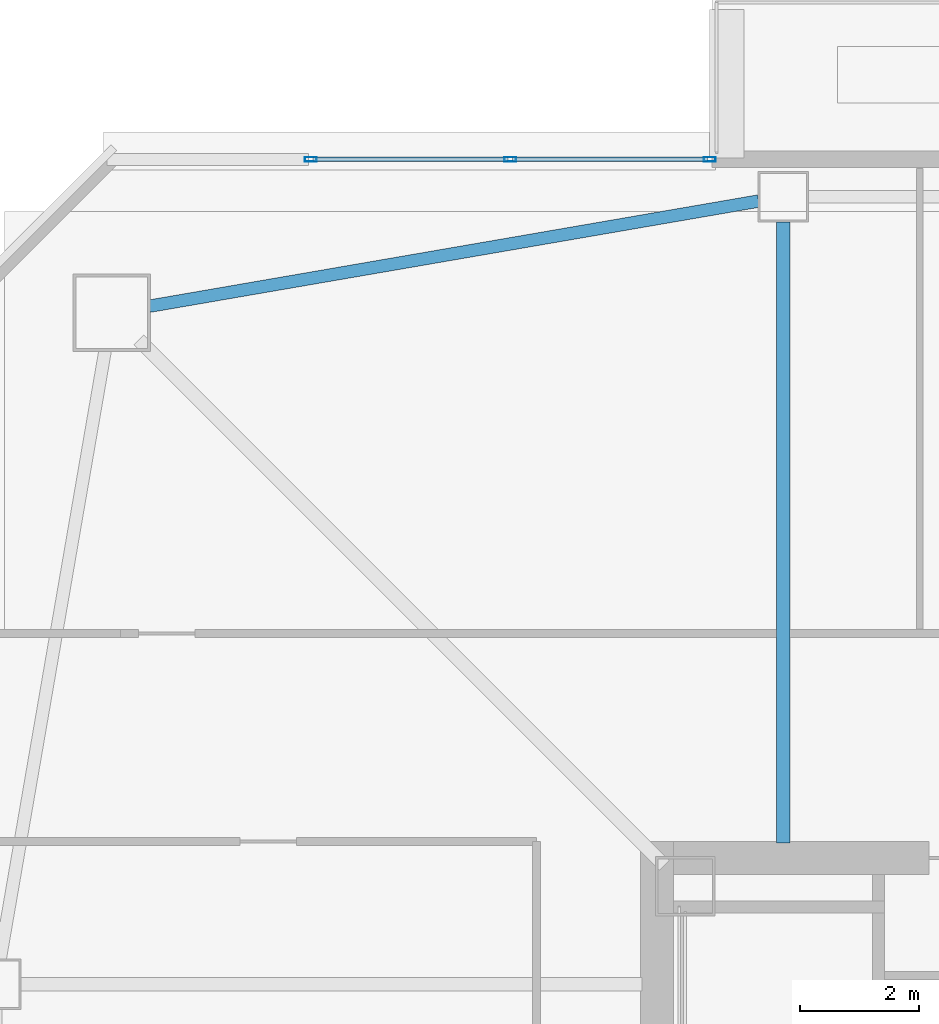
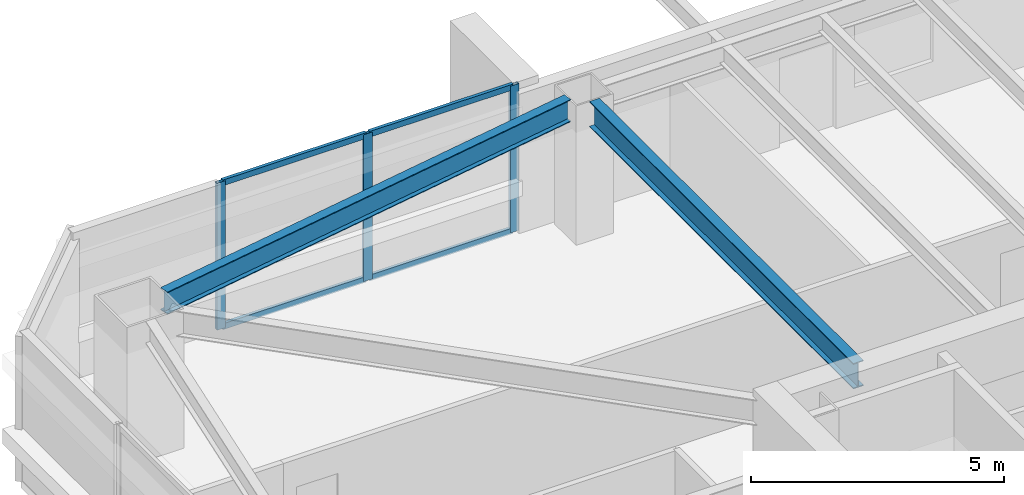
# One storey, part 13 of 44: 7 members, 2 beams, 1 element without a shape of its own.
"""IFC4 building model written with IfcOpenShell, lengths in metres."""

from ifc_helpers import new_model, si_unit, direction, frame, origin, origin_2d, place, context, subcontext, project, spatial, hollow_rectangle, i_section, extrude, material, material_profile, profile_set, type_object, element, aggregate, save


model = new_model("IFC4")

# Units and contexts
model_context = context("Model", 3, precision=1e-05, world=origin(), true_north=direction((0.0, 1.0)))
body_context = subcontext(model_context, "Body", "Model", "MODEL_VIEW")
ifc_project = project(units=[si_unit("LENGTHUNIT", "METRE"), si_unit("AREAUNIT", "SQUARE_METRE"), si_unit("VOLUMEUNIT", "CUBIC_METRE"), si_unit("PLANEANGLEUNIT", "RADIAN"), si_unit("MASSUNIT", "GRAM", prefix="KILO")], contexts=[model_context])

# Site, building, storey
site_placement = place(None, origin())
site = spatial("IfcSite", under=ifc_project, at=site_placement, CompositionType="ELEMENT")
building_placement = place(site_placement, origin())
building = spatial("IfcBuilding", under=site, at=building_placement, Name="Tashvorn Skyway Center", CompositionType="ELEMENT")
storey_placement = place(building_placement, frame((0.0, 0.0, 149.89990234375)))
storey = spatial("IfcBuildingStorey", under=building, at=storey_placement, Name="L40", CompositionType="ELEMENT", Elevation=149.89990234375)

# Beams
ifc_material_1 = material(Name="Steel ASTM A992 Grade 50", Category="steel")
ifc_material_profile_1 = material_profile(ifc_material_1, i_section(OverallWidth=0.22998046875, OverallDepth=0.616943359375, WebThickness=0.01318359375, FlangeThickness=0.022216796875, at=origin_2d()), Name="W24X94")
ifc_profile_set_1 = profile_set([ifc_material_profile_1], Name="Steel ASTM A992 Grade 50")
beam_type_1 = type_object("IfcBeamType", Name="BM-BEAM-W24X94", PredefinedType="BEAM", material=ifc_profile_set_1)
beam_1_placement = place(storey_placement, frame((36.60009765625, 50.22998046875, 3.0615234375), z_axis=(0.0, -1.0, 0.0), x_axis=(1.0, 0.0, 0.0)))
element("IfcBeam", 1, at=beam_1_placement, inside=storey, type_object=beam_type_1, Name="Tower 1 L40 Primary Floor Girder FC-N2", PredefinedType="BEAM", context=body_context, shape_type="SweptSolid", body=[
    extrude(i_section(OverallWidth=0.22998046875, OverallDepth=0.616943359375, WebThickness=0.01318359375, FlangeThickness=0.022216796875, at=origin_2d()), origin(), (0.0, 0.0, 1.0), 10.449951171875),
])
ifc_material_profile_2 = material_profile(ifc_material_1, i_section(OverallWidth=0.2109375, OverallDepth=0.5390625, WebThickness=0.01171875, FlangeThickness=0.018798828125, at=origin_2d()), Name="W21X73")
ifc_profile_set_2 = profile_set([ifc_material_profile_2], Name="Steel ASTM A992 Grade 50")
beam_type_2 = type_object("IfcBeamType", Name="BM-SPANDREL-W21X73", PredefinedType="SPANDREL", material=ifc_profile_set_2)
beam_2_placement = place(storey_placement, frame((36.18603515625, 50.57861328125, 3.1005859375), z_axis=(-0.985432458462, -0.170067250846, 0.0), x_axis=(0.170067250846, -0.985432458462, 0.0)))
element("IfcBeam", 2, at=beam_2_placement, inside=storey, type_object=beam_type_2, Name="Tower 1 L40 Spandrel Beam 09", PredefinedType="SPANDREL", context=body_context, shape_type="SweptSolid", body=[
    extrude(i_section(OverallWidth=0.2109375, OverallDepth=0.5390625, WebThickness=0.01171875, FlangeThickness=0.018798828125, at=origin_2d()), origin(), (0.0, 0.0, 1.0), 10.402099609375),
])

# Curtain wall, members
ifc_material_2 = material(Name="Thermally broken bronze-anodized aluminium 6063-T6", Category="aluminium")
curtain_wall_type = type_object("IfcCurtainWallType", Name="CW-CW-Z3", PredefinedType="NOTDEFINED", material=ifc_material_2)
curtain_wall_placement = place(storey_placement, origin())
curtain_wall = element("IfcCurtainWall", 3, at=curtain_wall_placement, inside=storey, type_object=curtain_wall_type, Name="Tower 1 L40 North Curtain Wall L Glazing Group 1", PredefinedType="NOTDEFINED")
ifc_material_profile_3 = material_profile(ifc_material_2, hollow_rectangle(XDim=0.074951171875, YDim=0.199951171875, WallThickness=0.00439453125, at=origin_2d()), Name="ALU-MULL-75x200")
ifc_profile_set_3 = profile_set([ifc_material_profile_3], Name="Thermally broken bronze-anodized aluminium 6063-T6")
member_type_1 = type_object("IfcMemberType", Name="CWM-CW-Z3", PredefinedType="MULLION", material=ifc_profile_set_3)
member_1_placement = place(storey_placement, frame((28.65087890625, 51.280029296875, 0.0), z_axis=(0.0, 0.0, 1.0), x_axis=(0.0, 1.0, 0.0)))
member_1 = element("IfcMember", 4, at=member_1_placement, type_object=member_type_1, Name="CW-Z3 mullion 1", PredefinedType="MULLION", context=body_context, shape_type="SweptSolid", body=[
    extrude(hollow_rectangle(XDim=0.074951171875, YDim=0.199951171875, WallThickness=0.00439453125, at=origin_2d()), origin(), (0.0, 0.0, 1.0), 3.550048828125),
])
member_2_placement = place(storey_placement, frame((32.006591796875, 51.280029296875, 0.0), z_axis=(0.0, 0.0, 1.0), x_axis=(0.0, 1.0, 0.0)))
member_2 = element("IfcMember", 5, at=member_2_placement, type_object=member_type_1, Name="CW-Z3 mullion 2", PredefinedType="MULLION", context=body_context, shape_type="SweptSolid", body=[
    extrude(hollow_rectangle(XDim=0.074951171875, YDim=0.199951171875, WallThickness=0.00439453125, at=origin_2d()), origin(), (0.0, 0.0, 1.0), 3.550048828125),
])
member_3_placement = place(storey_placement, frame((35.362548828125, 51.280029296875, 0.0), z_axis=(0.0, 0.0, 1.0), x_axis=(0.0, 1.0, 0.0)))
member_3 = element("IfcMember", 6, at=member_3_placement, type_object=member_type_1, Name="CW-Z3 mullion 3", PredefinedType="MULLION", context=body_context, shape_type="SweptSolid", body=[
    extrude(hollow_rectangle(XDim=0.074951171875, YDim=0.199951171875, WallThickness=0.00439453125, at=origin_2d()), origin(), (0.0, 0.0, 1.0), 3.550048828125),
])
ifc_material_profile_4 = material_profile(ifc_material_2, hollow_rectangle(XDim=0.074951171875, YDim=0.139892578125, WallThickness=0.004150390625, at=origin_2d()), Name="ALU-TRAN-75x140")
ifc_profile_set_4 = profile_set([ifc_material_profile_4], Name="Thermally broken bronze-anodized aluminium 6063-T6")
member_type_2 = type_object("IfcMemberType", Name="CWT-CW-Z3", PredefinedType="USERDEFINED", material=ifc_profile_set_4)
member_4_placement = place(storey_placement, frame((28.688232421875, 51.280029296875, 0.03759765625), z_axis=(1.0, 0.0, 0.0), x_axis=(0.0, 1.0, 0.0)))
member_4 = element("IfcMember", 7, at=member_4_placement, type_object=member_type_2, Name="CW-Z3 transom 1.1", ObjectType="TRANSOM", PredefinedType="USERDEFINED", context=body_context, shape_type="SweptSolid", body=[
    extrude(hollow_rectangle(XDim=0.074951171875, YDim=0.139892578125, WallThickness=0.004150390625, at=origin_2d()), origin(), (0.0, 0.0, 1.0), 3.281005859375),
])
member_5_placement = place(storey_placement, frame((28.688232421875, 51.280029296875, 3.5126953125), z_axis=(1.0, 0.0, 0.0), x_axis=(0.0, 1.0, 0.0)))
member_5 = element("IfcMember", 8, at=member_5_placement, type_object=member_type_2, Name="CW-Z3 transom 1.2", ObjectType="TRANSOM", PredefinedType="USERDEFINED", context=body_context, shape_type="SweptSolid", body=[
    extrude(hollow_rectangle(XDim=0.074951171875, YDim=0.139892578125, WallThickness=0.004150390625, at=origin_2d()), origin(), (0.0, 0.0, 1.0), 3.281005859375),
])
member_6_placement = place(storey_placement, frame((32.044189453125, 51.280029296875, 0.03759765625), z_axis=(1.0, 0.0, 0.0), x_axis=(0.0, 1.0, 0.0)))
member_6 = element("IfcMember", 9, at=member_6_placement, type_object=member_type_2, Name="CW-Z3 transom 2.1", ObjectType="TRANSOM", PredefinedType="USERDEFINED", context=body_context, shape_type="SweptSolid", body=[
    extrude(hollow_rectangle(XDim=0.074951171875, YDim=0.139892578125, WallThickness=0.004150390625, at=origin_2d()), origin(), (0.0, 0.0, 1.0), 3.28076171875),
])
member_7_placement = place(storey_placement, frame((32.044189453125, 51.280029296875, 3.5126953125), z_axis=(1.0, 0.0, 0.0), x_axis=(0.0, 1.0, 0.0)))
member_7 = element("IfcMember", 10, at=member_7_placement, type_object=member_type_2, Name="CW-Z3 transom 2.2", ObjectType="TRANSOM", PredefinedType="USERDEFINED", context=body_context, shape_type="SweptSolid", body=[
    extrude(hollow_rectangle(XDim=0.074951171875, YDim=0.139892578125, WallThickness=0.004150390625, at=origin_2d()), origin(), (0.0, 0.0, 1.0), 3.28076171875),
])
aggregate(curtain_wall, [member_1, member_2, member_3, member_4, member_5, member_6, member_7])

save(model, "model.ifc")
